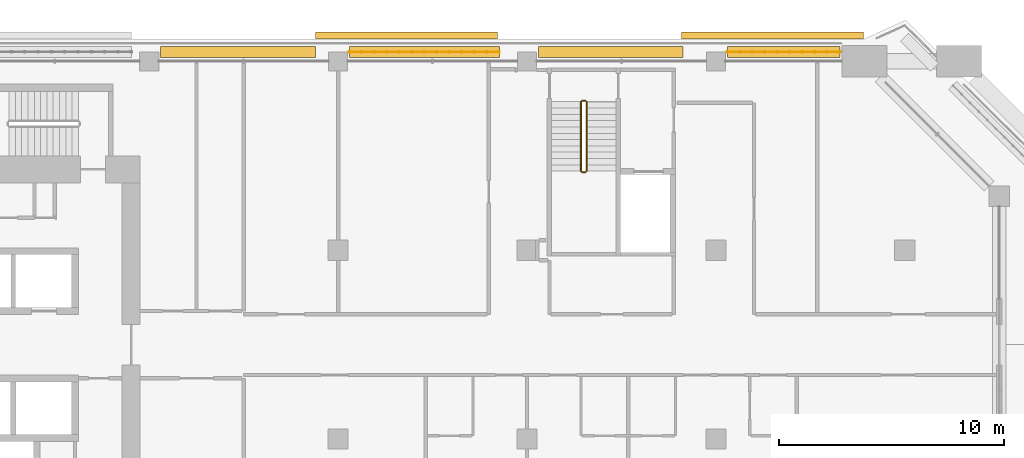
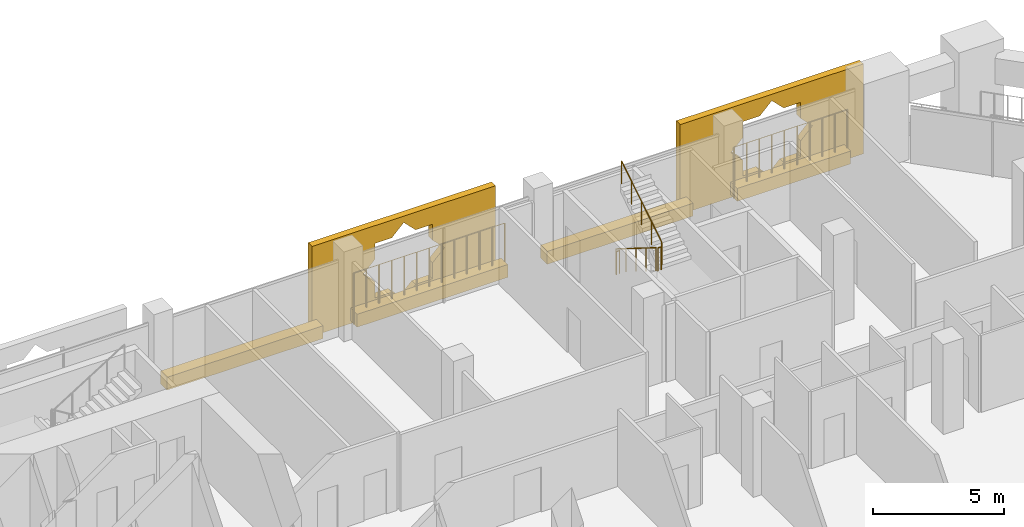
# One storey, part 20 of 21: 6 coverings, 6 railings.
"""IFC4 building model written with IfcOpenShell, lengths in metres."""

from ifc_helpers import new_model, si_unit, direction, frame, origin, origin_2d, place, context, subcontext, project, spatial, polyline, rectangle, circle, outline, extrude, material, material_profile, profile_set, type_object, element, save


model = new_model("IFC4")

# Units and contexts
model_context = context("Model", 3, precision=1e-05, world=origin(), true_north=direction((0.0, 1.0)))
body_context = subcontext(model_context, "Body", "Model", "MODEL_VIEW")
ifc_project = project(units=[si_unit("LENGTHUNIT", "METRE"), si_unit("AREAUNIT", "SQUARE_METRE"), si_unit("VOLUMEUNIT", "CUBIC_METRE"), si_unit("PLANEANGLEUNIT", "RADIAN"), si_unit("MASSUNIT", "GRAM", prefix="KILO")], contexts=[model_context])

# Site, building, storey
site_placement = place(None, origin())
site = spatial("IfcSite", under=ifc_project, at=site_placement, CompositionType="ELEMENT")
building_placement = place(site_placement, origin())
building = spatial("IfcBuilding", under=site, at=building_placement, Name="Kawkab Arch Medical Tower", CompositionType="ELEMENT")
storey_placement = place(building_placement, frame((0.0, 0.0, 234.800048828125)))
storey = spatial("IfcBuildingStorey", under=building, at=storey_placement, Name="L54", CompositionType="ELEMENT", Elevation=234.800048828125)

# Coverings
ifc_material_1 = material(Name="Bronze anodised aluminium mashrabiya panel, eight-point star pattern", Category="aluminium")
ifc_material_profile_1 = material_profile(ifc_material_1, outline(polyline([(-4.050048828125, -2.10009765625), (4.050048828125, -2.10009765625), (4.050048828125, 2.10009765625), (-4.050048828125, 2.10009765625), (-4.050048828125, -2.10009765625)]), holes=[polyline([(1.800048828125, 0.0), (1.272705078125, 0.527099609375), (1.272705078125, 1.272705078125), (0.527099609375, 1.272705078125), (0.0, 1.800048828125), (-0.527099609375, 1.272705078125), (-1.272705078125, 1.272705078125), (-1.272705078125, 0.527099609375), (-1.800048828125, 0.0), (-1.272705078125, -0.527099609375), (-1.272705078125, -1.272705078125), (-0.527099609375, -1.272705078125), (0.0, -1.800048828125), (0.527099609375, -1.272705078125), (1.272705078125, -1.272705078125), (1.272705078125, -0.527099609375), (1.800048828125, 0.0)])]), Name="Mashrabiya panel 8100x4200")
ifc_profile_set_1 = profile_set([ifc_material_profile_1], Name="Bronze anodised aluminium mashrabiya panel, eight-point star pattern")
covering_type_1 = type_object("IfcCoveringType", Name="Mashrabiya panel 8100 x 4200", PredefinedType="USERDEFINED", material=ifc_profile_set_1)
for number, where, z_axis, x_axis, name in (
    (1, (36.6435546875, 1.0, 1.699951171875), (0.0, 1.0, 0.0), (-1.0, 0.0, 0.0), "Mashrabiya panel L54.LOG-01-01.7"),
    (2, (52.910400390625, 1.0, 1.699951171875), (0.0, 1.0, 0.0), (-1.0, 0.0, 0.0), "Mashrabiya panel L54.LOG-01-01.8"),
):
    element("IfcCovering", number, at=place(storey_placement, frame(where, z_axis=z_axis, x_axis=x_axis)), inside=storey, type_object=covering_type_1, Name=name, ObjectType="SCREEN", PredefinedType="USERDEFINED", context=body_context, shape_type="SweptSolid", body=[
        extrude(outline(polyline([(-4.050048828125, -2.10009765625), (4.050048828125, -2.10009765625), (4.050048828125, 2.10009765625), (-4.050048828125, 2.10009765625), (-4.050048828125, -2.10009765625)]), holes=[polyline([(1.800048828125, 0.0), (1.272705078125, 0.527099609375), (1.272705078125, 1.272705078125), (0.527099609375, 1.272705078125), (0.0, 1.800048828125), (-0.527099609375, 1.272705078125), (-1.272705078125, 1.272705078125), (-1.272705078125, 0.527099609375), (-1.800048828125, 0.0), (-1.272705078125, -0.527099609375), (-1.272705078125, -1.272705078125), (-0.527099609375, -1.272705078125), (0.0, -1.800048828125), (0.527099609375, -1.272705078125), (1.272705078125, -1.272705078125), (1.272705078125, -0.527099609375), (1.800048828125, 0.0)])]), origin(), (0.0, 0.0, 1.0), 0.300048828125),
    ])
ifc_material_2 = material(Name="Planting soil in a precast trough", Category="concrete")
ifc_material_profile_2 = material_profile(ifc_material_2, rectangle(XDim=0.5, YDim=0.60009765625, at=origin_2d()), Name="Trough 500x600")
ifc_profile_set_2 = profile_set([ifc_material_profile_2], Name="Planting soil in a precast trough")
covering_type_2 = type_object("IfcCoveringType", Name="Planter trough 500 x 600", PredefinedType="USERDEFINED", material=ifc_profile_set_2)
covering_1_placement = place(storey_placement, frame((25.705078125, 0.419921875, 0.300048828125), z_axis=(1.0, 0.0, 0.0), x_axis=(0.0, 1.0, 0.0)))
element("IfcCovering", 3, at=covering_1_placement, inside=storey, type_object=covering_type_2, Name="Planter L54.LOG-01-01.20", ObjectType="PLANTER", PredefinedType="USERDEFINED", context=body_context, shape_type="SweptSolid", body=[
    extrude(rectangle(XDim=0.5, YDim=0.60009765625, at=origin_2d()), origin(), (0.0, 0.0, 1.0), 6.884033203125),
])
covering_2_placement = place(storey_placement, frame((34.10498046875, 0.419921875, 0.300048828125), z_axis=(1.0, 0.0, 0.0), x_axis=(0.0, 1.0, 0.0)))
element("IfcCovering", 4, at=covering_2_placement, inside=storey, type_object=covering_type_2, Name="Planter L54.LOG-01-01.21", ObjectType="PLANTER", PredefinedType="USERDEFINED", context=body_context, shape_type="SweptSolid", body=[
    extrude(rectangle(XDim=0.5, YDim=0.60009765625, at=origin_2d()), origin(), (0.0, 0.0, 1.0), 6.6630859375),
])
covering_3_placement = place(storey_placement, frame((42.5048828125, 0.419921875, 0.300048828125), z_axis=(1.0, 0.0, 0.0), x_axis=(0.0, 1.0, 0.0)))
element("IfcCovering", 5, at=covering_3_placement, inside=storey, type_object=covering_type_2, Name="Planter L54.LOG-01-01.22", ObjectType="PLANTER", PredefinedType="USERDEFINED", context=body_context, shape_type="SweptSolid", body=[
    extrude(rectangle(XDim=0.5, YDim=0.60009765625, at=origin_2d()), origin(), (0.0, 0.0, 1.0), 6.442138671875),
])
covering_4_placement = place(storey_placement, frame((50.905029296875, 0.419921875, 0.300048828125), z_axis=(1.0, 0.0, 0.0), x_axis=(0.0, 1.0, 0.0)))
element("IfcCovering", 6, at=covering_4_placement, inside=storey, type_object=covering_type_2, Name="Planter L54.LOG-01-01.23", ObjectType="PLANTER", PredefinedType="USERDEFINED", context=body_context, shape_type="SweptSolid", body=[
    extrude(rectangle(XDim=0.5, YDim=0.60009765625, at=origin_2d()), origin(), (0.0, 0.0, 1.0), 5.014892578125),
])

# Railings
ifc_material_3 = material(Name="Bronze anodised aluminium trellis for climbing plants", Category="aluminium")
railing_type_1 = type_object("IfcRailingType", Name="Planting trellis 2400", PredefinedType="USERDEFINED", material=ifc_material_3)
railing_1_placement = place(storey_placement, frame((34.10498046875, 0.419921875, 0.0)))
element("IfcRailing", 7, at=railing_1_placement, inside=storey, type_object=railing_type_1, Name="Planting trellis L54.LOG-01-01.21", ObjectType="TRELLIS", PredefinedType="USERDEFINED", context=body_context, shape_type="SweptSolid", body=[
    extrude(circle(Radius=0.01513671875, at=origin_2d()), frame((0.0, 0.0, 2.384765625), z_axis=(1.0, 0.0, 0.0), x_axis=(0.0, 1.0, 0.0)), (0.0, 0.0, 1.0), 6.6630859375),
    extrude(circle(Radius=0.030029296875, at=origin_2d()), origin(), (0.0, 0.0, 1.0), 2.369873046875),
    extrude(circle(Radius=0.030029296875, at=origin_2d()), frame((0.55517578125, 0.0, 0.0)), (0.0, 0.0, 1.0), 2.369873046875),
    extrude(circle(Radius=0.030029296875, at=origin_2d()), frame((1.110595703125, 0.0, 0.0)), (0.0, 0.0, 1.0), 2.369873046875),
    extrude(circle(Radius=0.030029296875, at=origin_2d()), frame((1.665771484375, 0.0, 0.0)), (0.0, 0.0, 1.0), 2.369873046875),
    extrude(circle(Radius=0.030029296875, at=origin_2d()), frame((2.220947265625, 0.0, 0.0)), (0.0, 0.0, 1.0), 2.369873046875),
    extrude(circle(Radius=0.030029296875, at=origin_2d()), frame((2.7763671875, 0.0, 0.0)), (0.0, 0.0, 1.0), 2.369873046875),
    extrude(circle(Radius=0.030029296875, at=origin_2d()), frame((3.33154296875, 0.0, 0.0)), (0.0, 0.0, 1.0), 2.369873046875),
    extrude(circle(Radius=0.030029296875, at=origin_2d()), frame((3.88671875, 0.0, 0.0)), (0.0, 0.0, 1.0), 2.369873046875),
    extrude(circle(Radius=0.030029296875, at=origin_2d()), frame((4.442138671875, 0.0, 0.0)), (0.0, 0.0, 1.0), 2.369873046875),
    extrude(circle(Radius=0.030029296875, at=origin_2d()), frame((4.997314453125, 0.0, 0.0)), (0.0, 0.0, 1.0), 2.369873046875),
    extrude(circle(Radius=0.030029296875, at=origin_2d()), frame((5.552490234375, 0.0, 0.0)), (0.0, 0.0, 1.0), 2.369873046875),
    extrude(circle(Radius=0.030029296875, at=origin_2d()), frame((6.10791015625, 0.0, 0.0)), (0.0, 0.0, 1.0), 2.369873046875),
    extrude(circle(Radius=0.030029296875, at=origin_2d()), frame((6.6630859375, 0.0, 0.0)), (0.0, 0.0, 1.0), 2.369873046875),
])
railing_2_placement = place(storey_placement, frame((50.905029296875, 0.419921875, 0.0)))
element("IfcRailing", 8, at=railing_2_placement, inside=storey, type_object=railing_type_1, Name="Planting trellis L54.LOG-01-01.23", ObjectType="TRELLIS", PredefinedType="USERDEFINED", context=body_context, shape_type="SweptSolid", body=[
    extrude(circle(Radius=0.01513671875, at=origin_2d()), frame((0.0, 0.0, 2.384765625), z_axis=(1.0, 0.0, 0.0), x_axis=(0.0, 1.0, 0.0)), (0.0, 0.0, 1.0), 5.014892578125),
    extrude(circle(Radius=0.030029296875, at=origin_2d()), origin(), (0.0, 0.0, 1.0), 2.369873046875),
    extrude(circle(Radius=0.030029296875, at=origin_2d()), frame((0.55712890625, 0.0, 0.0)), (0.0, 0.0, 1.0), 2.369873046875),
    extrude(circle(Radius=0.030029296875, at=origin_2d()), frame((1.114501953125, 0.0, 0.0)), (0.0, 0.0, 1.0), 2.369873046875),
    extrude(circle(Radius=0.030029296875, at=origin_2d()), frame((1.671630859375, 0.0, 0.0)), (0.0, 0.0, 1.0), 2.369873046875),
    extrude(circle(Radius=0.030029296875, at=origin_2d()), frame((2.228759765625, 0.0, 0.0)), (0.0, 0.0, 1.0), 2.369873046875),
    extrude(circle(Radius=0.030029296875, at=origin_2d()), frame((2.7861328125, 0.0, 0.0)), (0.0, 0.0, 1.0), 2.369873046875),
    extrude(circle(Radius=0.030029296875, at=origin_2d()), frame((3.34326171875, 0.0, 0.0)), (0.0, 0.0, 1.0), 2.369873046875),
    extrude(circle(Radius=0.030029296875, at=origin_2d()), frame((3.900390625, 0.0, 0.0)), (0.0, 0.0, 1.0), 2.369873046875),
    extrude(circle(Radius=0.030029296875, at=origin_2d()), frame((4.457763671875, 0.0, 0.0)), (0.0, 0.0, 1.0), 2.369873046875),
    extrude(circle(Radius=0.030029296875, at=origin_2d()), frame((5.014892578125, 0.0, 0.0)), (0.0, 0.0, 1.0), 2.369873046875),
])
ifc_material_4 = material(Name="Stainless steel", Category="steel")
railing_type_2 = type_object("IfcRailingType", Name="Stair guard 1100", PredefinedType="GUARDRAIL", material=ifc_material_4)
railing_3_placement = place(storey_placement, frame((44.39990234375, -1.800048828125, 0.175048828125)))
element("IfcRailing", 9, at=railing_3_placement, inside=storey, type_object=railing_type_2, Name="L54 ST5 stair guard 1", PredefinedType="GUARDRAIL", context=body_context, shape_type="SweptSolid", body=[
    extrude(circle(Radius=0.02392578125, at=origin_2d()), frame((0.0, 0.0, 1.076171875), z_axis=(0.0, -0.848009633417, 0.529980812513), x_axis=(1.0, 0.0, 0.0)), (0.0, 0.0, 1.0), 3.6318359375),
    extrude(circle(Radius=0.02099609375, at=origin_2d()), origin(), (0.0, 0.0, 1.0), 1.052001953125),
    extrude(circle(Radius=0.02099609375, at=origin_2d()), frame((0.0, -0.77001953125, 0.481201171875)), (0.0, 0.0, 1.0), 1.052001953125),
    extrude(circle(Radius=0.02099609375, at=origin_2d()), frame((0.0, -1.5400390625, 0.96240234375)), (0.0, 0.0, 1.0), 1.052001953125),
    extrude(circle(Radius=0.02099609375, at=origin_2d()), frame((0.0, -2.309814453125, 1.443603515625)), (0.0, 0.0, 1.0), 1.052001953125),
    extrude(circle(Radius=0.02099609375, at=origin_2d()), frame((0.0, -3.079833984375, 1.9248046875)), (0.0, 0.0, 1.0), 1.052001953125),
])
railing_4_placement = place(storey_placement, frame((44.449951171875, -4.929931640625, 2.099853515625)))
element("IfcRailing", 10, at=railing_4_placement, inside=storey, type_object=railing_type_2, Name="L54 ST5 stair guard 2", PredefinedType="GUARDRAIL", context=body_context, shape_type="SweptSolid", body=[
    extrude(circle(Radius=0.02392578125, at=origin_2d()), frame((0.0, 0.0, 1.076171875), z_axis=(1.0, 0.0, 0.0), x_axis=(0.0, 1.0, 0.0)), (0.0, 0.0, 1.0), 0.150146484375),
    extrude(circle(Radius=0.02099609375, at=origin_2d()), origin(), (0.0, 0.0, 1.0), 1.052001953125),
    extrude(circle(Radius=0.02099609375, at=origin_2d()), frame((0.150146484375, 0.0, 0.0)), (0.0, 0.0, 1.0), 1.052001953125),
])
railing_5_placement = place(storey_placement, frame((44.64990234375, -4.8798828125, 2.27490234375)))
element("IfcRailing", 11, at=railing_5_placement, inside=storey, type_object=railing_type_2, Name="L54 ST5 stair guard 3", PredefinedType="GUARDRAIL", context=body_context, shape_type="SweptSolid", body=[
    extrude(circle(Radius=0.02392578125, at=origin_2d()), frame((0.0, 0.0, 1.076171875), z_axis=(0.0, 0.847979421464, 0.530029150871), x_axis=(-1.0, 0.0, 0.0)), (0.0, 0.0, 1.0), 3.632080078125),
    extrude(circle(Radius=0.02099609375, at=origin_2d()), origin(), (0.0, 0.0, 1.0), 1.052001953125),
    extrude(circle(Radius=0.02099609375, at=origin_2d()), frame((0.0, 0.77001953125, 0.481201171875)), (0.0, 0.0, 1.0), 1.052001953125),
    extrude(circle(Radius=0.02099609375, at=origin_2d()), frame((0.0, 1.5400390625, 0.96240234375)), (0.0, 0.0, 1.0), 1.052001953125),
    extrude(circle(Radius=0.02099609375, at=origin_2d()), frame((0.0, 2.309814453125, 1.44384765625)), (0.0, 0.0, 1.0), 1.052001953125),
    extrude(circle(Radius=0.02099609375, at=origin_2d()), frame((0.0, 3.079833984375, 1.925048828125)), (0.0, 0.0, 1.0), 1.052001953125),
])
railing_6_placement = place(storey_placement, frame((44.449951171875, -1.75, 0.0)))
element("IfcRailing", 12, at=railing_6_placement, inside=storey, type_object=railing_type_2, Name="L54 ST5 stair guard 4", PredefinedType="GUARDRAIL", context=body_context, shape_type="SweptSolid", body=[
    extrude(circle(Radius=0.02392578125, at=origin_2d()), frame((0.0, 0.0, 1.076171875), z_axis=(1.0, 0.0, 0.0), x_axis=(0.0, 1.0, 0.0)), (0.0, 0.0, 1.0), 0.150146484375),
    extrude(circle(Radius=0.02099609375, at=origin_2d()), origin(), (0.0, 0.0, 1.0), 1.052001953125),
    extrude(circle(Radius=0.02099609375, at=origin_2d()), frame((0.150146484375, 0.0, 0.0)), (0.0, 0.0, 1.0), 1.052001953125),
])

save(model, "model.ifc")
